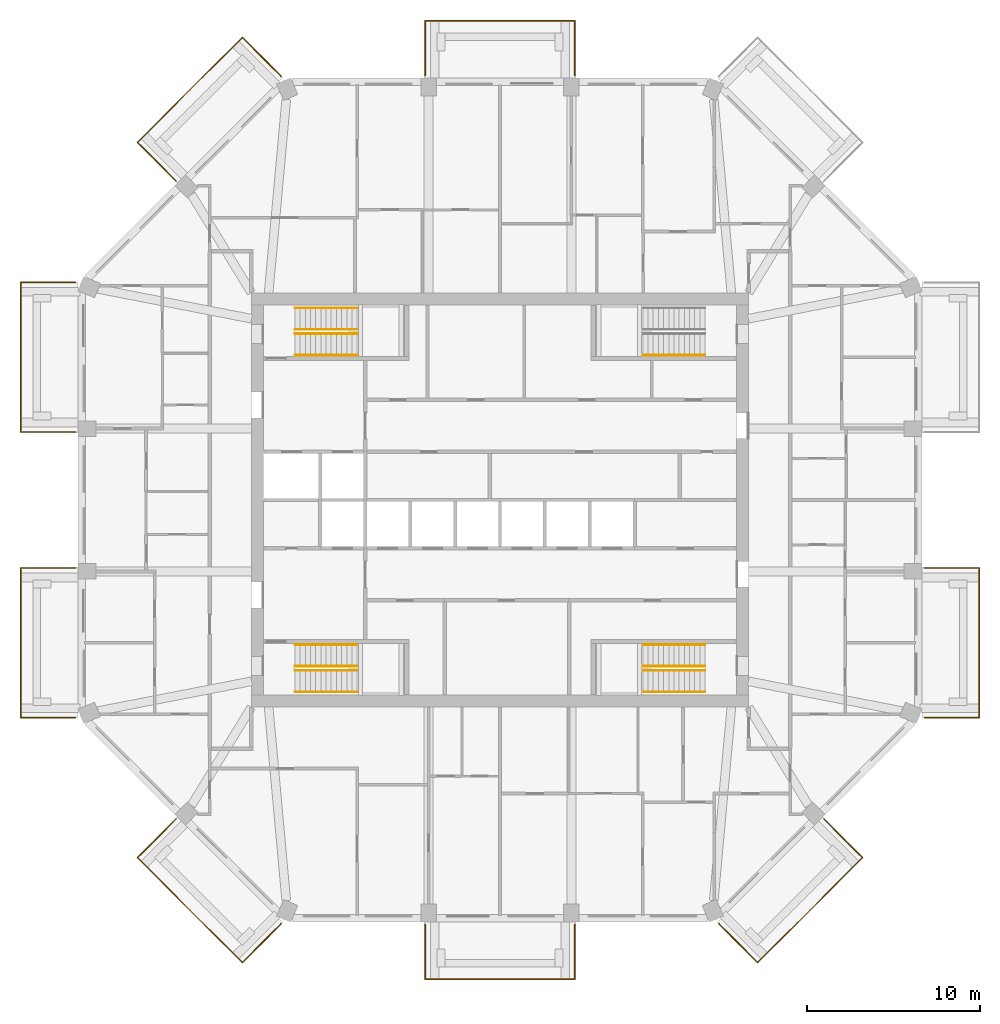
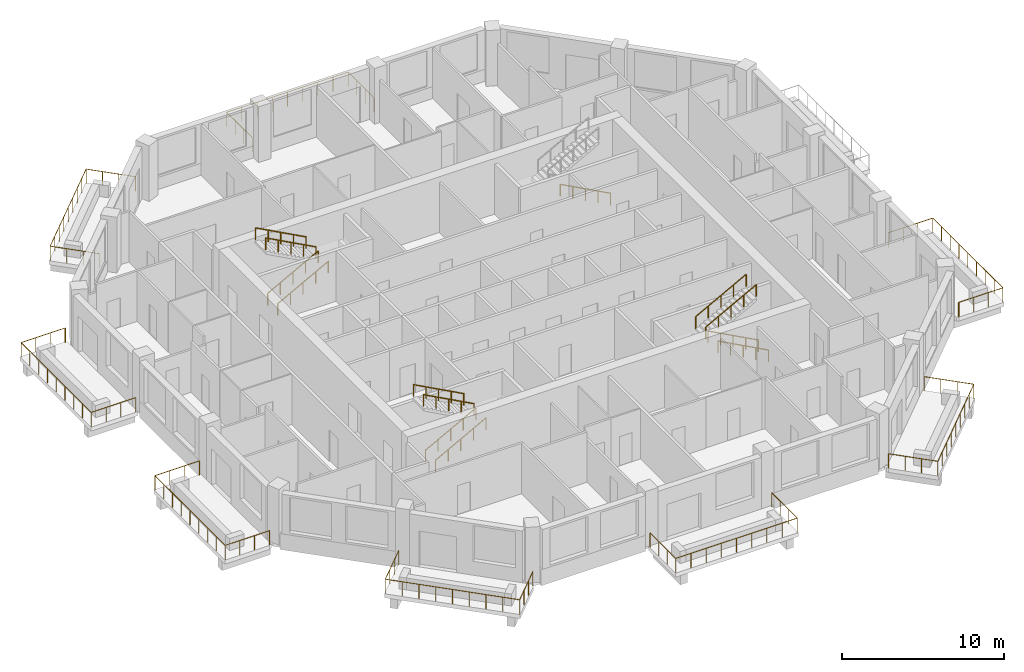
# One storey, part 11 of 12: 21 railings.
"""IFC4 building model written with IfcOpenShell, lengths in metres."""

from ifc_helpers import new_model, si_unit, direction, frame, origin, origin_2d, place, context, subcontext, project, spatial, circle, extrude, material, constituent, constituent_set, type_object, element, save


model = new_model("IFC4")

# Units and contexts
model_context = context("Model", 3, precision=1e-05, world=origin(), true_north=direction((0.0, 1.0)))
body_context = subcontext(model_context, "Body", "Model", "MODEL_VIEW")
ifc_project = project(units=[si_unit("LENGTHUNIT", "METRE"), si_unit("AREAUNIT", "SQUARE_METRE"), si_unit("VOLUMEUNIT", "CUBIC_METRE"), si_unit("PLANEANGLEUNIT", "RADIAN"), si_unit("MASSUNIT", "GRAM", prefix="KILO")], contexts=[model_context])

# Site, building, storey
site_placement = place(None, origin())
site = spatial("IfcSite", under=ifc_project, at=site_placement, CompositionType="ELEMENT")
building_placement = place(site_placement, origin())
building = spatial("IfcBuilding", under=site, at=building_placement, Name="Msitu Wima Residences", CompositionType="ELEMENT")
storey_placement = place(building_placement, frame((0.0, 0.0, 204.300048828125)))
storey = spatial("IfcBuildingStorey", under=building, at=storey_placement, Name="L47", CompositionType="ELEMENT", Elevation=204.300048828125)

# Railings
ifc_material_1 = material(Name="Steel S355", Category="steel")
ifc_constituent_1 = constituent(ifc_material_1, Name="Steel S355")
ifc_material_2 = material(Name="Weathering patina")
ifc_constituent_2 = constituent(ifc_material_2, Name="Weathering patina")
ifc_constituent_set_1 = constituent_set(constituents=[ifc_constituent_1, ifc_constituent_2], Name="Steel S355")
railing_type_1 = type_object("IfcRailingType", Name="Balcony guard GR1100", PredefinedType="GUARDRAIL", material=ifc_constituent_set_1)
railing_1_placement = place(storey_placement, frame((24.580078125, -3.937255859375, 0.0)))
element("IfcRailing", 1, at=railing_1_placement, inside=storey, type_object=railing_type_1, Name="Balcony guard E0 L47", PredefinedType="GUARDRAIL", context=body_context, shape_type="SweptSolid", body=[
    extrude(circle(Radius=0.02392578125, at=origin_2d()), frame((0.0, 0.0, 1.076171875), z_axis=(1.0, 0.0, 0.0), x_axis=(0.0, 1.0, 0.0)), (0.0, 0.0, 1.0), 3.169921875),
    extrude(circle(Radius=0.02392578125, at=origin_2d()), frame((3.169921875, 0.0, 1.076171875), z_axis=(0.0, -1.0, 0.0), x_axis=(1.0, 0.0, 0.0)), (0.0, 0.0, 1.0), 8.674560546875),
    extrude(circle(Radius=0.02392578125, at=origin_2d()), frame((3.169921875, -8.674560546875, 1.076171875), z_axis=(-1.0, 0.0, 0.0), x_axis=(0.0, -1.0, 0.0)), (0.0, 0.0, 1.0), 3.136474609375),
    extrude(circle(Radius=0.02392578125, at=origin_2d()), frame((0.033447265625, -8.674560546875, 1.076171875), z_axis=(-0.923276184907, 0.384136806859, 0.0), x_axis=(-0.384136806859, -0.923276184907, 0.0)), (0.0, 0.0, 1.0), 0.0361328125),
    extrude(circle(Radius=0.02099609375, at=origin_2d()), origin(), (0.0, 0.0, 1.0), 1.052001953125),
    extrude(circle(Radius=0.02099609375, at=origin_2d()), frame((1.056640625, 0.0, 0.0)), (0.0, 0.0, 1.0), 1.052001953125),
    extrude(circle(Radius=0.02099609375, at=origin_2d()), frame((2.11328125, 0.0, 0.0)), (0.0, 0.0, 1.0), 1.052001953125),
    extrude(circle(Radius=0.02099609375, at=origin_2d()), frame((3.169921875, 0.0, 0.0)), (0.0, 0.0, 1.0), 1.052001953125),
    extrude(circle(Radius=0.02099609375, at=origin_2d()), frame((3.169921875, -1.084228515625, 0.0)), (0.0, 0.0, 1.0), 1.052001953125),
    extrude(circle(Radius=0.02099609375, at=origin_2d()), frame((3.169921875, -2.168701171875, 0.0)), (0.0, 0.0, 1.0), 1.052001953125),
    extrude(circle(Radius=0.02099609375, at=origin_2d()), frame((3.169921875, -3.2529296875, 0.0)), (0.0, 0.0, 1.0), 1.052001953125),
    extrude(circle(Radius=0.02099609375, at=origin_2d()), frame((3.169921875, -4.33740234375, 0.0)), (0.0, 0.0, 1.0), 1.052001953125),
    extrude(circle(Radius=0.02099609375, at=origin_2d()), frame((3.169921875, -5.421630859375, 0.0)), (0.0, 0.0, 1.0), 1.052001953125),
    extrude(circle(Radius=0.02099609375, at=origin_2d()), frame((3.169921875, -6.505859375, 0.0)), (0.0, 0.0, 1.0), 1.052001953125),
    extrude(circle(Radius=0.02099609375, at=origin_2d()), frame((3.169921875, -7.59033203125, 0.0)), (0.0, 0.0, 1.0), 1.052001953125),
    extrude(circle(Radius=0.02099609375, at=origin_2d()), frame((3.169921875, -8.674560546875, 0.0)), (0.0, 0.0, 1.0), 1.052001953125),
    extrude(circle(Radius=0.02099609375, at=origin_2d()), frame((2.12451171875, -8.674560546875, 0.0)), (0.0, 0.0, 1.0), 1.052001953125),
    extrude(circle(Radius=0.02099609375, at=origin_2d()), frame((1.078857421875, -8.674560546875, 0.0)), (0.0, 0.0, 1.0), 1.052001953125),
    extrude(circle(Radius=0.02099609375, at=origin_2d()), frame((0.033447265625, -8.674560546875, 0.0)), (0.0, 0.0, 1.0), 1.052001953125),
    extrude(circle(Radius=0.02099609375, at=origin_2d()), frame((0.0, -8.66064453125, 0.0)), (0.0, 0.0, 1.0), 1.052001953125),
])
railing_2_placement = place(storey_placement, frame((-4.337158203125, 24.580078125, 0.0)))
element("IfcRailing", 2, at=railing_2_placement, inside=storey, type_object=railing_type_1, Name="Balcony guard N1 L47", PredefinedType="GUARDRAIL", context=body_context, shape_type="SweptSolid", body=[
    extrude(circle(Radius=0.02392578125, at=origin_2d()), frame((0.0, 0.0, 1.076171875), z_axis=(0.0, 1.0, 0.0), x_axis=(-1.0, 0.0, 0.0)), (0.0, 0.0, 1.0), 3.169921875),
    extrude(circle(Radius=0.02392578125, at=origin_2d()), frame((0.0, 3.169921875, 1.076171875), z_axis=(1.0, 0.0, 0.0), x_axis=(0.0, 1.0, 0.0)), (0.0, 0.0, 1.0), 8.67431640625),
    extrude(circle(Radius=0.02392578125, at=origin_2d()), frame((8.67431640625, 3.169921875, 1.076171875), z_axis=(0.0, -1.0, 0.0), x_axis=(1.0, 0.0, 0.0)), (0.0, 0.0, 1.0), 3.169921875),
    extrude(circle(Radius=0.02099609375, at=origin_2d()), origin(), (0.0, 0.0, 1.0), 1.052001953125),
    extrude(circle(Radius=0.02099609375, at=origin_2d()), frame((0.0, 1.056640625, 0.0)), (0.0, 0.0, 1.0), 1.052001953125),
    extrude(circle(Radius=0.02099609375, at=origin_2d()), frame((0.0, 2.11328125, 0.0)), (0.0, 0.0, 1.0), 1.052001953125),
    extrude(circle(Radius=0.02099609375, at=origin_2d()), frame((0.0, 3.169921875, 0.0)), (0.0, 0.0, 1.0), 1.052001953125),
    extrude(circle(Radius=0.02099609375, at=origin_2d()), frame((1.084228515625, 3.169921875, 0.0)), (0.0, 0.0, 1.0), 1.052001953125),
    extrude(circle(Radius=0.02099609375, at=origin_2d()), frame((2.16845703125, 3.169921875, 0.0)), (0.0, 0.0, 1.0), 1.052001953125),
    extrude(circle(Radius=0.02099609375, at=origin_2d()), frame((3.2529296875, 3.169921875, 0.0)), (0.0, 0.0, 1.0), 1.052001953125),
    extrude(circle(Radius=0.02099609375, at=origin_2d()), frame((4.337158203125, 3.169921875, 0.0)), (0.0, 0.0, 1.0), 1.052001953125),
    extrude(circle(Radius=0.02099609375, at=origin_2d()), frame((5.42138671875, 3.169921875, 0.0)), (0.0, 0.0, 1.0), 1.052001953125),
    extrude(circle(Radius=0.02099609375, at=origin_2d()), frame((6.505859375, 3.169921875, 0.0)), (0.0, 0.0, 1.0), 1.052001953125),
    extrude(circle(Radius=0.02099609375, at=origin_2d()), frame((7.590087890625, 3.169921875, 0.0)), (0.0, 0.0, 1.0), 1.052001953125),
    extrude(circle(Radius=0.02099609375, at=origin_2d()), frame((8.67431640625, 3.169921875, 0.0)), (0.0, 0.0, 1.0), 1.052001953125),
    extrude(circle(Radius=0.02099609375, at=origin_2d()), frame((8.67431640625, 2.11328125, 0.0)), (0.0, 0.0, 1.0), 1.052001953125),
    extrude(circle(Radius=0.02099609375, at=origin_2d()), frame((8.67431640625, 1.056640625, 0.0)), (0.0, 0.0, 1.0), 1.052001953125),
    extrude(circle(Radius=0.02099609375, at=origin_2d()), frame((8.67431640625, 0.0, 0.0)), (0.0, 0.0, 1.0), 1.052001953125),
])
railing_3_placement = place(storey_placement, frame((-18.75732421875, 18.474609375, 0.0)))
element("IfcRailing", 3, at=railing_3_placement, inside=storey, type_object=railing_type_1, Name="Balcony guard NW0 L47", PredefinedType="GUARDRAIL", context=body_context, shape_type="SweptSolid", body=[
    extrude(circle(Radius=0.02392578125, at=origin_2d()), frame((0.0, 0.0, 1.076171875), z_axis=(-0.707145287287, 0.707068272989, 0.0), x_axis=(-0.707068272989, -0.707145287287, 0.0)), (0.0, 0.0, 1.0), 3.170166015625),
    extrude(circle(Radius=0.02392578125, at=origin_2d()), frame((-2.24169921875, 2.241455078125, 1.076171875), z_axis=(0.707106781187, 0.707106781187, 0.0), x_axis=(-0.707106781187, 0.707106781187, 0.0)), (0.0, 0.0, 1.0), 8.593994140625),
    extrude(circle(Radius=0.02392578125, at=origin_2d()), frame((3.835205078125, 8.318359375, 1.076171875), z_axis=(0.707145698426, -0.707067861805, 0.0), x_axis=(0.707067861805, 0.707145698426, 0.0)), (0.0, 0.0, 1.0), 3.136474609375),
    extrude(circle(Radius=0.02392578125, at=origin_2d()), frame((6.05322265625, 6.1005859375, 1.076171875), z_axis=(0.384136806859, -0.923276184907, 0.0), x_axis=(0.923276184907, 0.384136806859, 0.0)), (0.0, 0.0, 1.0), 0.0361328125),
    extrude(circle(Radius=0.02099609375, at=origin_2d()), origin(), (0.0, 0.0, 1.0), 1.052001953125),
    extrude(circle(Radius=0.02099609375, at=origin_2d()), frame((-0.747314453125, 0.7470703125, 0.0)), (0.0, 0.0, 1.0), 1.052001953125),
    extrude(circle(Radius=0.02099609375, at=origin_2d()), frame((-1.494384765625, 1.494384765625, 0.0)), (0.0, 0.0, 1.0), 1.052001953125),
    extrude(circle(Radius=0.02099609375, at=origin_2d()), frame((-2.24169921875, 2.241455078125, 0.0)), (0.0, 0.0, 1.0), 1.052001953125),
    extrude(circle(Radius=0.02099609375, at=origin_2d()), frame((-1.482177734375, 3.0009765625, 0.0)), (0.0, 0.0, 1.0), 1.052001953125),
    extrude(circle(Radius=0.02099609375, at=origin_2d()), frame((-0.722412109375, 3.7607421875, 0.0)), (0.0, 0.0, 1.0), 1.052001953125),
    extrude(circle(Radius=0.02099609375, at=origin_2d()), frame((0.037109375, 4.520263671875, 0.0)), (0.0, 0.0, 1.0), 1.052001953125),
    extrude(circle(Radius=0.02099609375, at=origin_2d()), frame((0.796875, 5.27978515625, 0.0)), (0.0, 0.0, 1.0), 1.052001953125),
    extrude(circle(Radius=0.02099609375, at=origin_2d()), frame((1.556396484375, 6.03955078125, 0.0)), (0.0, 0.0, 1.0), 1.052001953125),
    extrude(circle(Radius=0.02099609375, at=origin_2d()), frame((2.31591796875, 6.799072265625, 0.0)), (0.0, 0.0, 1.0), 1.052001953125),
    extrude(circle(Radius=0.02099609375, at=origin_2d()), frame((3.07568359375, 7.558837890625, 0.0)), (0.0, 0.0, 1.0), 1.052001953125),
    extrude(circle(Radius=0.02099609375, at=origin_2d()), frame((3.835205078125, 8.318359375, 0.0)), (0.0, 0.0, 1.0), 1.052001953125),
    extrude(circle(Radius=0.02099609375, at=origin_2d()), frame((4.574462890625, 7.5791015625, 0.0)), (0.0, 0.0, 1.0), 1.052001953125),
    extrude(circle(Radius=0.02099609375, at=origin_2d()), frame((5.31396484375, 6.83984375, 0.0)), (0.0, 0.0, 1.0), 1.052001953125),
    extrude(circle(Radius=0.02099609375, at=origin_2d()), frame((6.05322265625, 6.1005859375, 0.0)), (0.0, 0.0, 1.0), 1.052001953125),
    extrude(circle(Radius=0.02099609375, at=origin_2d()), frame((6.067138671875, 6.067138671875, 0.0)), (0.0, 0.0, 1.0), 1.052001953125),
])
railing_4_placement = place(storey_placement, frame((-24.580078125, 3.937255859375, 0.0)))
element("IfcRailing", 4, at=railing_4_placement, inside=storey, type_object=railing_type_1, Name="Balcony guard W0 L47", PredefinedType="GUARDRAIL", context=body_context, shape_type="SweptSolid", body=[
    extrude(circle(Radius=0.02392578125, at=origin_2d()), frame((0.0, 0.0, 1.076171875), z_axis=(-1.0, 0.0, 0.0), x_axis=(0.0, -1.0, 0.0)), (0.0, 0.0, 1.0), 3.169921875),
    extrude(circle(Radius=0.02392578125, at=origin_2d()), frame((-3.169921875, 0.0, 1.076171875), z_axis=(0.0, 1.0, 0.0), x_axis=(-1.0, 0.0, 0.0)), (0.0, 0.0, 1.0), 8.674560546875),
    extrude(circle(Radius=0.02392578125, at=origin_2d()), frame((-3.169921875, 8.674560546875, 1.076171875), z_axis=(1.0, 0.0, 0.0), x_axis=(0.0, 1.0, 0.0)), (0.0, 0.0, 1.0), 3.136474609375),
    extrude(circle(Radius=0.02392578125, at=origin_2d()), frame((-0.033447265625, 8.674560546875, 1.076171875), z_axis=(0.923276184907, -0.384136806859, 0.0), x_axis=(0.384136806859, 0.923276184907, 0.0)), (0.0, 0.0, 1.0), 0.0361328125),
    extrude(circle(Radius=0.02099609375, at=origin_2d()), origin(), (0.0, 0.0, 1.0), 1.052001953125),
    extrude(circle(Radius=0.02099609375, at=origin_2d()), frame((-1.056640625, 0.0, 0.0)), (0.0, 0.0, 1.0), 1.052001953125),
    extrude(circle(Radius=0.02099609375, at=origin_2d()), frame((-2.11328125, 0.0, 0.0)), (0.0, 0.0, 1.0), 1.052001953125),
    extrude(circle(Radius=0.02099609375, at=origin_2d()), frame((-3.169921875, 0.0, 0.0)), (0.0, 0.0, 1.0), 1.052001953125),
    extrude(circle(Radius=0.02099609375, at=origin_2d()), frame((-3.169921875, 1.084228515625, 0.0)), (0.0, 0.0, 1.0), 1.052001953125),
    extrude(circle(Radius=0.02099609375, at=origin_2d()), frame((-3.169921875, 2.168701171875, 0.0)), (0.0, 0.0, 1.0), 1.052001953125),
    extrude(circle(Radius=0.02099609375, at=origin_2d()), frame((-3.169921875, 3.2529296875, 0.0)), (0.0, 0.0, 1.0), 1.052001953125),
    extrude(circle(Radius=0.02099609375, at=origin_2d()), frame((-3.169921875, 4.33740234375, 0.0)), (0.0, 0.0, 1.0), 1.052001953125),
    extrude(circle(Radius=0.02099609375, at=origin_2d()), frame((-3.169921875, 5.421630859375, 0.0)), (0.0, 0.0, 1.0), 1.052001953125),
    extrude(circle(Radius=0.02099609375, at=origin_2d()), frame((-3.169921875, 6.505859375, 0.0)), (0.0, 0.0, 1.0), 1.052001953125),
    extrude(circle(Radius=0.02099609375, at=origin_2d()), frame((-3.169921875, 7.59033203125, 0.0)), (0.0, 0.0, 1.0), 1.052001953125),
    extrude(circle(Radius=0.02099609375, at=origin_2d()), frame((-3.169921875, 8.674560546875, 0.0)), (0.0, 0.0, 1.0), 1.052001953125),
    extrude(circle(Radius=0.02099609375, at=origin_2d()), frame((-2.12451171875, 8.674560546875, 0.0)), (0.0, 0.0, 1.0), 1.052001953125),
    extrude(circle(Radius=0.02099609375, at=origin_2d()), frame((-1.078857421875, 8.674560546875, 0.0)), (0.0, 0.0, 1.0), 1.052001953125),
    extrude(circle(Radius=0.02099609375, at=origin_2d()), frame((-0.033447265625, 8.674560546875, 0.0)), (0.0, 0.0, 1.0), 1.052001953125),
    extrude(circle(Radius=0.02099609375, at=origin_2d()), frame((0.0, 8.66064453125, 0.0)), (0.0, 0.0, 1.0), 1.052001953125),
])
railing_5_placement = place(storey_placement, frame((-24.580078125, -12.597900390625, 0.0)))
element("IfcRailing", 5, at=railing_5_placement, inside=storey, type_object=railing_type_1, Name="Balcony guard W2 L47", PredefinedType="GUARDRAIL", context=body_context, shape_type="SweptSolid", body=[
    extrude(circle(Radius=0.02392578125, at=origin_2d()), frame((0.0, 0.0, 1.076171875), z_axis=(-0.923276184907, -0.384136806859, 0.0), x_axis=(0.384136806859, -0.923276184907, 0.0)), (0.0, 0.0, 1.0), 0.0361328125),
    extrude(circle(Radius=0.02392578125, at=origin_2d()), frame((-0.033447265625, -0.013916015625, 1.076171875), z_axis=(-1.0, 0.0, 0.0), x_axis=(0.0, -1.0, 0.0)), (0.0, 0.0, 1.0), 3.136474609375),
    extrude(circle(Radius=0.02392578125, at=origin_2d()), frame((-3.169921875, -0.013916015625, 1.076171875), z_axis=(0.0, 1.0, 0.0), x_axis=(-1.0, 0.0, 0.0)), (0.0, 0.0, 1.0), 8.674560546875),
    extrude(circle(Radius=0.02392578125, at=origin_2d()), frame((-3.169921875, 8.66064453125, 1.076171875), z_axis=(1.0, 0.0, 0.0), x_axis=(0.0, 1.0, 0.0)), (0.0, 0.0, 1.0), 3.169921875),
    extrude(circle(Radius=0.02099609375, at=origin_2d()), origin(), (0.0, 0.0, 1.0), 1.052001953125),
    extrude(circle(Radius=0.02099609375, at=origin_2d()), frame((-0.033447265625, -0.013916015625, 0.0)), (0.0, 0.0, 1.0), 1.052001953125),
    extrude(circle(Radius=0.02099609375, at=origin_2d()), frame((-1.078857421875, -0.013916015625, 0.0)), (0.0, 0.0, 1.0), 1.052001953125),
    extrude(circle(Radius=0.02099609375, at=origin_2d()), frame((-2.12451171875, -0.013916015625, 0.0)), (0.0, 0.0, 1.0), 1.052001953125),
    extrude(circle(Radius=0.02099609375, at=origin_2d()), frame((-3.169921875, -0.013916015625, 0.0)), (0.0, 0.0, 1.0), 1.052001953125),
    extrude(circle(Radius=0.02099609375, at=origin_2d()), frame((-3.169921875, 1.0703125, 0.0)), (0.0, 0.0, 1.0), 1.052001953125),
    extrude(circle(Radius=0.02099609375, at=origin_2d()), frame((-3.169921875, 2.15478515625, 0.0)), (0.0, 0.0, 1.0), 1.052001953125),
    extrude(circle(Radius=0.02099609375, at=origin_2d()), frame((-3.169921875, 3.239013671875, 0.0)), (0.0, 0.0, 1.0), 1.052001953125),
    extrude(circle(Radius=0.02099609375, at=origin_2d()), frame((-3.169921875, 4.3232421875, 0.0)), (0.0, 0.0, 1.0), 1.052001953125),
    extrude(circle(Radius=0.02099609375, at=origin_2d()), frame((-3.169921875, 5.40771484375, 0.0)), (0.0, 0.0, 1.0), 1.052001953125),
    extrude(circle(Radius=0.02099609375, at=origin_2d()), frame((-3.169921875, 6.491943359375, 0.0)), (0.0, 0.0, 1.0), 1.052001953125),
    extrude(circle(Radius=0.02099609375, at=origin_2d()), frame((-3.169921875, 7.576416015625, 0.0)), (0.0, 0.0, 1.0), 1.052001953125),
    extrude(circle(Radius=0.02099609375, at=origin_2d()), frame((-3.169921875, 8.66064453125, 0.0)), (0.0, 0.0, 1.0), 1.052001953125),
    extrude(circle(Radius=0.02099609375, at=origin_2d()), frame((-2.11328125, 8.66064453125, 0.0)), (0.0, 0.0, 1.0), 1.052001953125),
    extrude(circle(Radius=0.02099609375, at=origin_2d()), frame((-1.056640625, 8.66064453125, 0.0)), (0.0, 0.0, 1.0), 1.052001953125),
    extrude(circle(Radius=0.02099609375, at=origin_2d()), frame((0.0, 8.66064453125, 0.0)), (0.0, 0.0, 1.0), 1.052001953125),
])
railing_6_placement = place(storey_placement, frame((-12.690185546875, -24.541748046875, 0.0)))
element("IfcRailing", 6, at=railing_6_placement, inside=storey, type_object=railing_type_1, Name="Balcony guard SW1 L47", PredefinedType="GUARDRAIL", context=body_context, shape_type="SweptSolid", body=[
    extrude(circle(Radius=0.02392578125, at=origin_2d()), frame((0.0, 0.0, 1.076171875), z_axis=(-0.384136806859, -0.923276184907, 0.0), x_axis=(0.923276184907, -0.384136806859, 0.0)), (0.0, 0.0, 1.0), 0.0361328125),
    extrude(circle(Radius=0.02392578125, at=origin_2d()), frame((-0.013916015625, -0.033447265625, 1.076171875), z_axis=(-0.707145698426, -0.707067861805, 0.0), x_axis=(0.707067861805, -0.707145698426, 0.0)), (0.0, 0.0, 1.0), 3.136474609375),
    extrude(circle(Radius=0.02392578125, at=origin_2d()), frame((-2.23193359375, -2.251220703125, 1.076171875), z_axis=(-0.707106781187, 0.707106781187, 0.0), x_axis=(-0.707106781187, -0.707106781187, 0.0)), (0.0, 0.0, 1.0), 8.593994140625),
    extrude(circle(Radius=0.02392578125, at=origin_2d()), frame((-8.308837890625, 3.82568359375, 1.076171875), z_axis=(0.707145287287, 0.707068272989, 0.0), x_axis=(-0.707068272989, 0.707145287287, 0.0)), (0.0, 0.0, 1.0), 3.170166015625),
    extrude(circle(Radius=0.02099609375, at=origin_2d()), origin(), (0.0, 0.0, 1.0), 1.052001953125),
    extrude(circle(Radius=0.02099609375, at=origin_2d()), frame((-0.013916015625, -0.033447265625, 0.0)), (0.0, 0.0, 1.0), 1.052001953125),
    extrude(circle(Radius=0.02099609375, at=origin_2d()), frame((-0.753173828125, -0.772705078125, 0.0)), (0.0, 0.0, 1.0), 1.052001953125),
    extrude(circle(Radius=0.02099609375, at=origin_2d()), frame((-1.49267578125, -1.511962890625, 0.0)), (0.0, 0.0, 1.0), 1.052001953125),
    extrude(circle(Radius=0.02099609375, at=origin_2d()), frame((-2.23193359375, -2.251220703125, 0.0)), (0.0, 0.0, 1.0), 1.052001953125),
    extrude(circle(Radius=0.02099609375, at=origin_2d()), frame((-2.991455078125, -1.49169921875, 0.0)), (0.0, 0.0, 1.0), 1.052001953125),
    extrude(circle(Radius=0.02099609375, at=origin_2d()), frame((-3.751220703125, -0.73193359375, 0.0)), (0.0, 0.0, 1.0), 1.052001953125),
    extrude(circle(Radius=0.02099609375, at=origin_2d()), frame((-4.5107421875, 0.027587890625, 0.0)), (0.0, 0.0, 1.0), 1.052001953125),
    extrude(circle(Radius=0.02099609375, at=origin_2d()), frame((-5.2705078125, 0.787109375, 0.0)), (0.0, 0.0, 1.0), 1.052001953125),
    extrude(circle(Radius=0.02099609375, at=origin_2d()), frame((-6.030029296875, 1.546875, 0.0)), (0.0, 0.0, 1.0), 1.052001953125),
    extrude(circle(Radius=0.02099609375, at=origin_2d()), frame((-6.78955078125, 2.306396484375, 0.0)), (0.0, 0.0, 1.0), 1.052001953125),
    extrude(circle(Radius=0.02099609375, at=origin_2d()), frame((-7.54931640625, 3.066162109375, 0.0)), (0.0, 0.0, 1.0), 1.052001953125),
    extrude(circle(Radius=0.02099609375, at=origin_2d()), frame((-8.308837890625, 3.82568359375, 0.0)), (0.0, 0.0, 1.0), 1.052001953125),
    extrude(circle(Radius=0.02099609375, at=origin_2d()), frame((-7.5615234375, 4.57275390625, 0.0)), (0.0, 0.0, 1.0), 1.052001953125),
    extrude(circle(Radius=0.02099609375, at=origin_2d()), frame((-6.814453125, 5.320068359375, 0.0)), (0.0, 0.0, 1.0), 1.052001953125),
    extrude(circle(Radius=0.02099609375, at=origin_2d()), frame((-6.067138671875, 6.067138671875, 0.0)), (0.0, 0.0, 1.0), 1.052001953125),
])
railing_7_placement = place(storey_placement, frame((4.337158203125, -24.580078125, 0.0)))
element("IfcRailing", 7, at=railing_7_placement, inside=storey, type_object=railing_type_1, Name="Balcony guard S1 L47", PredefinedType="GUARDRAIL", context=body_context, shape_type="SweptSolid", body=[
    extrude(circle(Radius=0.02392578125, at=origin_2d()), frame((0.0, 0.0, 1.076171875), z_axis=(0.0, -1.0, 0.0), x_axis=(1.0, 0.0, 0.0)), (0.0, 0.0, 1.0), 3.169921875),
    extrude(circle(Radius=0.02392578125, at=origin_2d()), frame((0.0, -3.169921875, 1.076171875), z_axis=(-1.0, 0.0, 0.0), x_axis=(0.0, -1.0, 0.0)), (0.0, 0.0, 1.0), 8.67431640625),
    extrude(circle(Radius=0.02392578125, at=origin_2d()), frame((-8.67431640625, -3.169921875, 1.076171875), z_axis=(0.0, 1.0, 0.0), x_axis=(-1.0, 0.0, 0.0)), (0.0, 0.0, 1.0), 3.169921875),
    extrude(circle(Radius=0.02099609375, at=origin_2d()), origin(), (0.0, 0.0, 1.0), 1.052001953125),
    extrude(circle(Radius=0.02099609375, at=origin_2d()), frame((0.0, -1.056640625, 0.0)), (0.0, 0.0, 1.0), 1.052001953125),
    extrude(circle(Radius=0.02099609375, at=origin_2d()), frame((0.0, -2.11328125, 0.0)), (0.0, 0.0, 1.0), 1.052001953125),
    extrude(circle(Radius=0.02099609375, at=origin_2d()), frame((0.0, -3.169921875, 0.0)), (0.0, 0.0, 1.0), 1.052001953125),
    extrude(circle(Radius=0.02099609375, at=origin_2d()), frame((-1.084228515625, -3.169921875, 0.0)), (0.0, 0.0, 1.0), 1.052001953125),
    extrude(circle(Radius=0.02099609375, at=origin_2d()), frame((-2.16845703125, -3.169921875, 0.0)), (0.0, 0.0, 1.0), 1.052001953125),
    extrude(circle(Radius=0.02099609375, at=origin_2d()), frame((-3.2529296875, -3.169921875, 0.0)), (0.0, 0.0, 1.0), 1.052001953125),
    extrude(circle(Radius=0.02099609375, at=origin_2d()), frame((-4.337158203125, -3.169921875, 0.0)), (0.0, 0.0, 1.0), 1.052001953125),
    extrude(circle(Radius=0.02099609375, at=origin_2d()), frame((-5.42138671875, -3.169921875, 0.0)), (0.0, 0.0, 1.0), 1.052001953125),
    extrude(circle(Radius=0.02099609375, at=origin_2d()), frame((-6.505859375, -3.169921875, 0.0)), (0.0, 0.0, 1.0), 1.052001953125),
    extrude(circle(Radius=0.02099609375, at=origin_2d()), frame((-7.590087890625, -3.169921875, 0.0)), (0.0, 0.0, 1.0), 1.052001953125),
    extrude(circle(Radius=0.02099609375, at=origin_2d()), frame((-8.67431640625, -3.169921875, 0.0)), (0.0, 0.0, 1.0), 1.052001953125),
    extrude(circle(Radius=0.02099609375, at=origin_2d()), frame((-8.67431640625, -2.11328125, 0.0)), (0.0, 0.0, 1.0), 1.052001953125),
    extrude(circle(Radius=0.02099609375, at=origin_2d()), frame((-8.67431640625, -1.056640625, 0.0)), (0.0, 0.0, 1.0), 1.052001953125),
    extrude(circle(Radius=0.02099609375, at=origin_2d()), frame((-8.67431640625, 0.0, 0.0)), (0.0, 0.0, 1.0), 1.052001953125),
])
railing_8_placement = place(storey_placement, frame((18.75732421875, -18.474609375, 0.0)))
element("IfcRailing", 8, at=railing_8_placement, inside=storey, type_object=railing_type_1, Name="Balcony guard SE0 L47", PredefinedType="GUARDRAIL", context=body_context, shape_type="SweptSolid", body=[
    extrude(circle(Radius=0.02392578125, at=origin_2d()), frame((0.0, 0.0, 1.076171875), z_axis=(0.707145287287, -0.707068272989, 0.0), x_axis=(0.707068272989, 0.707145287287, 0.0)), (0.0, 0.0, 1.0), 3.170166015625),
    extrude(circle(Radius=0.02392578125, at=origin_2d()), frame((2.24169921875, -2.241455078125, 1.076171875), z_axis=(-0.707106781187, -0.707106781187, 0.0), x_axis=(0.707106781187, -0.707106781187, 0.0)), (0.0, 0.0, 1.0), 8.593994140625),
    extrude(circle(Radius=0.02392578125, at=origin_2d()), frame((-3.835205078125, -8.318359375, 1.076171875), z_axis=(-0.707145698426, 0.707067861805, 0.0), x_axis=(-0.707067861805, -0.707145698426, 0.0)), (0.0, 0.0, 1.0), 3.136474609375),
    extrude(circle(Radius=0.02392578125, at=origin_2d()), frame((-6.05322265625, -6.1005859375, 1.076171875), z_axis=(-0.384136806859, 0.923276184907, 0.0), x_axis=(-0.923276184907, -0.384136806859, 0.0)), (0.0, 0.0, 1.0), 0.0361328125),
    extrude(circle(Radius=0.02099609375, at=origin_2d()), origin(), (0.0, 0.0, 1.0), 1.052001953125),
    extrude(circle(Radius=0.02099609375, at=origin_2d()), frame((0.747314453125, -0.7470703125, 0.0)), (0.0, 0.0, 1.0), 1.052001953125),
    extrude(circle(Radius=0.02099609375, at=origin_2d()), frame((1.494384765625, -1.494384765625, 0.0)), (0.0, 0.0, 1.0), 1.052001953125),
    extrude(circle(Radius=0.02099609375, at=origin_2d()), frame((2.24169921875, -2.241455078125, 0.0)), (0.0, 0.0, 1.0), 1.052001953125),
    extrude(circle(Radius=0.02099609375, at=origin_2d()), frame((1.482177734375, -3.0009765625, 0.0)), (0.0, 0.0, 1.0), 1.052001953125),
    extrude(circle(Radius=0.02099609375, at=origin_2d()), frame((0.722412109375, -3.7607421875, 0.0)), (0.0, 0.0, 1.0), 1.052001953125),
    extrude(circle(Radius=0.02099609375, at=origin_2d()), frame((-0.037109375, -4.520263671875, 0.0)), (0.0, 0.0, 1.0), 1.052001953125),
    extrude(circle(Radius=0.02099609375, at=origin_2d()), frame((-0.796875, -5.27978515625, 0.0)), (0.0, 0.0, 1.0), 1.052001953125),
    extrude(circle(Radius=0.02099609375, at=origin_2d()), frame((-1.556396484375, -6.03955078125, 0.0)), (0.0, 0.0, 1.0), 1.052001953125),
    extrude(circle(Radius=0.02099609375, at=origin_2d()), frame((-2.31591796875, -6.799072265625, 0.0)), (0.0, 0.0, 1.0), 1.052001953125),
    extrude(circle(Radius=0.02099609375, at=origin_2d()), frame((-3.07568359375, -7.558837890625, 0.0)), (0.0, 0.0, 1.0), 1.052001953125),
    extrude(circle(Radius=0.02099609375, at=origin_2d()), frame((-3.835205078125, -8.318359375, 0.0)), (0.0, 0.0, 1.0), 1.052001953125),
    extrude(circle(Radius=0.02099609375, at=origin_2d()), frame((-4.574462890625, -7.5791015625, 0.0)), (0.0, 0.0, 1.0), 1.052001953125),
    extrude(circle(Radius=0.02099609375, at=origin_2d()), frame((-5.31396484375, -6.83984375, 0.0)), (0.0, 0.0, 1.0), 1.052001953125),
    extrude(circle(Radius=0.02099609375, at=origin_2d()), frame((-6.05322265625, -6.1005859375, 0.0)), (0.0, 0.0, 1.0), 1.052001953125),
    extrude(circle(Radius=0.02099609375, at=origin_2d()), frame((-6.067138671875, -6.067138671875, 0.0)), (0.0, 0.0, 1.0), 1.052001953125),
])
ifc_constituent_3 = constituent(ifc_material_1, Name="Steel S355")
ifc_material_3 = material(Name="Black powder coating")
ifc_constituent_4 = constituent(ifc_material_3, Name="Black powder coating")
ifc_constituent_set_2 = constituent_set(constituents=[ifc_constituent_3, ifc_constituent_4], Name="Steel S355")
railing_type_2 = type_object("IfcRailingType", Name="Stair handrail HR1", PredefinedType="HANDRAIL", material=ifc_constituent_set_2)
for number, where, name in (
    (9, (-11.875, 8.375, 0.161376953125), "Stair 1 handrail"),
    (10, (-11.875, 9.625, 0.161376953125), "Stair 1 handrail"),
):
    element("IfcRailing", number, at=place(storey_placement, frame(where)), inside=storey, type_object=railing_type_2, Name=name, PredefinedType="HANDRAIL", context=body_context, shape_type="SweptSolid", body=[
        extrude(circle(Radius=0.02392578125, at=origin_2d()), frame((0.0, 0.0, 0.8759765625), z_axis=(0.880474934443, 0.0, 0.474092701714), x_axis=(0.0, 1.0, 0.0)), (0.0, 0.0, 1.0), 4.0888671875),
        extrude(circle(Radius=0.02099609375, at=origin_2d()), origin(), (0.0, 0.0, 1.0), 0.851806640625),
        extrude(circle(Radius=0.02099609375, at=origin_2d()), frame((0.89990234375, 0.0, 0.484619140625)), (0.0, 0.0, 1.0), 0.851806640625),
        extrude(circle(Radius=0.02099609375, at=origin_2d()), frame((1.800048828125, 0.0, 0.96923828125)), (0.0, 0.0, 1.0), 0.851806640625),
        extrude(circle(Radius=0.02099609375, at=origin_2d()), frame((2.7001953125, 0.0, 1.453857421875)), (0.0, 0.0, 1.0), 0.851806640625),
        extrude(circle(Radius=0.02099609375, at=origin_2d()), frame((3.60009765625, 0.0, 1.9384765625)), (0.0, 0.0, 1.0), 0.851806640625),
    ])
for number, where, name in (
    (11, (-8.27490234375, 9.875, 2.261474609375), "Stair 1 handrail"),
    (12, (-8.27490234375, 11.125, 2.261474609375), "Stair 1 handrail"),
):
    element("IfcRailing", number, at=place(storey_placement, frame(where)), inside=storey, type_object=railing_type_2, Name=name, PredefinedType="HANDRAIL", context=body_context, shape_type="SweptSolid", body=[
        extrude(circle(Radius=0.02392578125, at=origin_2d()), frame((0.0, 0.0, 0.8759765625), z_axis=(-0.880474934443, 0.0, 0.474092701714), x_axis=(0.0, -1.0, 0.0)), (0.0, 0.0, 1.0), 4.0888671875),
        extrude(circle(Radius=0.02099609375, at=origin_2d()), origin(), (0.0, 0.0, 1.0), 0.851806640625),
        extrude(circle(Radius=0.02099609375, at=origin_2d()), frame((-0.89990234375, 0.0, 0.484619140625)), (0.0, 0.0, 1.0), 0.851806640625),
        extrude(circle(Radius=0.02099609375, at=origin_2d()), frame((-1.800048828125, 0.0, 0.96923828125)), (0.0, 0.0, 1.0), 0.851806640625),
        extrude(circle(Radius=0.02099609375, at=origin_2d()), frame((-2.7001953125, 0.0, 1.453857421875)), (0.0, 0.0, 1.0), 0.851806640625),
        extrude(circle(Radius=0.02099609375, at=origin_2d()), frame((-3.60009765625, 0.0, 1.9384765625)), (0.0, 0.0, 1.0), 0.851806640625),
    ])
for number, where, name in (
    (13, (-11.875, -11.125, 0.161376953125), "Stair 2 handrail"),
    (14, (-11.875, -9.875, 0.161376953125), "Stair 2 handrail"),
):
    element("IfcRailing", number, at=place(storey_placement, frame(where)), inside=storey, type_object=railing_type_2, Name=name, PredefinedType="HANDRAIL", context=body_context, shape_type="SweptSolid", body=[
        extrude(circle(Radius=0.02392578125, at=origin_2d()), frame((0.0, 0.0, 0.8759765625), z_axis=(0.880474934443, 0.0, 0.474092701714), x_axis=(0.0, 1.0, 0.0)), (0.0, 0.0, 1.0), 4.0888671875),
        extrude(circle(Radius=0.02099609375, at=origin_2d()), origin(), (0.0, 0.0, 1.0), 0.851806640625),
        extrude(circle(Radius=0.02099609375, at=origin_2d()), frame((0.89990234375, 0.0, 0.484619140625)), (0.0, 0.0, 1.0), 0.851806640625),
        extrude(circle(Radius=0.02099609375, at=origin_2d()), frame((1.800048828125, 0.0, 0.96923828125)), (0.0, 0.0, 1.0), 0.851806640625),
        extrude(circle(Radius=0.02099609375, at=origin_2d()), frame((2.7001953125, 0.0, 1.453857421875)), (0.0, 0.0, 1.0), 0.851806640625),
        extrude(circle(Radius=0.02099609375, at=origin_2d()), frame((3.60009765625, 0.0, 1.9384765625)), (0.0, 0.0, 1.0), 0.851806640625),
    ])
for number, where, name in (
    (15, (-8.27490234375, -9.625, 2.261474609375), "Stair 2 handrail"),
    (16, (-8.27490234375, -8.375, 2.261474609375), "Stair 2 handrail"),
    (17, (11.875, 8.375, 0.161376953125), "Stair 3 handrail"),
    (18, (11.875, -11.125, 0.161376953125), "Stair 4 handrail"),
    (19, (11.875, -9.875, 0.161376953125), "Stair 4 handrail"),
):
    element("IfcRailing", number, at=place(storey_placement, frame(where)), inside=storey, type_object=railing_type_2, Name=name, PredefinedType="HANDRAIL", context=body_context, shape_type="SweptSolid", body=[
        extrude(circle(Radius=0.02392578125, at=origin_2d()), frame((0.0, 0.0, 0.8759765625), z_axis=(-0.880474934443, 0.0, 0.474092701714), x_axis=(0.0, -1.0, 0.0)), (0.0, 0.0, 1.0), 4.0888671875),
        extrude(circle(Radius=0.02099609375, at=origin_2d()), origin(), (0.0, 0.0, 1.0), 0.851806640625),
        extrude(circle(Radius=0.02099609375, at=origin_2d()), frame((-0.89990234375, 0.0, 0.484619140625)), (0.0, 0.0, 1.0), 0.851806640625),
        extrude(circle(Radius=0.02099609375, at=origin_2d()), frame((-1.800048828125, 0.0, 0.96923828125)), (0.0, 0.0, 1.0), 0.851806640625),
        extrude(circle(Radius=0.02099609375, at=origin_2d()), frame((-2.7001953125, 0.0, 1.453857421875)), (0.0, 0.0, 1.0), 0.851806640625),
        extrude(circle(Radius=0.02099609375, at=origin_2d()), frame((-3.60009765625, 0.0, 1.9384765625)), (0.0, 0.0, 1.0), 0.851806640625),
    ])
for number, where, name in (
    (20, (8.27490234375, -9.625, 2.261474609375), "Stair 4 handrail"),
    (21, (8.27490234375, -8.375, 2.261474609375), "Stair 4 handrail"),
):
    element("IfcRailing", number, at=place(storey_placement, frame(where)), inside=storey, type_object=railing_type_2, Name=name, PredefinedType="HANDRAIL", context=body_context, shape_type="SweptSolid", body=[
        extrude(circle(Radius=0.02392578125, at=origin_2d()), frame((0.0, 0.0, 0.8759765625), z_axis=(0.880474934443, 0.0, 0.474092701714), x_axis=(0.0, 1.0, 0.0)), (0.0, 0.0, 1.0), 4.0888671875),
        extrude(circle(Radius=0.02099609375, at=origin_2d()), origin(), (0.0, 0.0, 1.0), 0.851806640625),
        extrude(circle(Radius=0.02099609375, at=origin_2d()), frame((0.89990234375, 0.0, 0.484619140625)), (0.0, 0.0, 1.0), 0.851806640625),
        extrude(circle(Radius=0.02099609375, at=origin_2d()), frame((1.800048828125, 0.0, 0.96923828125)), (0.0, 0.0, 1.0), 0.851806640625),
        extrude(circle(Radius=0.02099609375, at=origin_2d()), frame((2.7001953125, 0.0, 1.453857421875)), (0.0, 0.0, 1.0), 0.851806640625),
        extrude(circle(Radius=0.02099609375, at=origin_2d()), frame((3.60009765625, 0.0, 1.9384765625)), (0.0, 0.0, 1.0), 0.851806640625),
    ])

save(model, "model.ifc")
